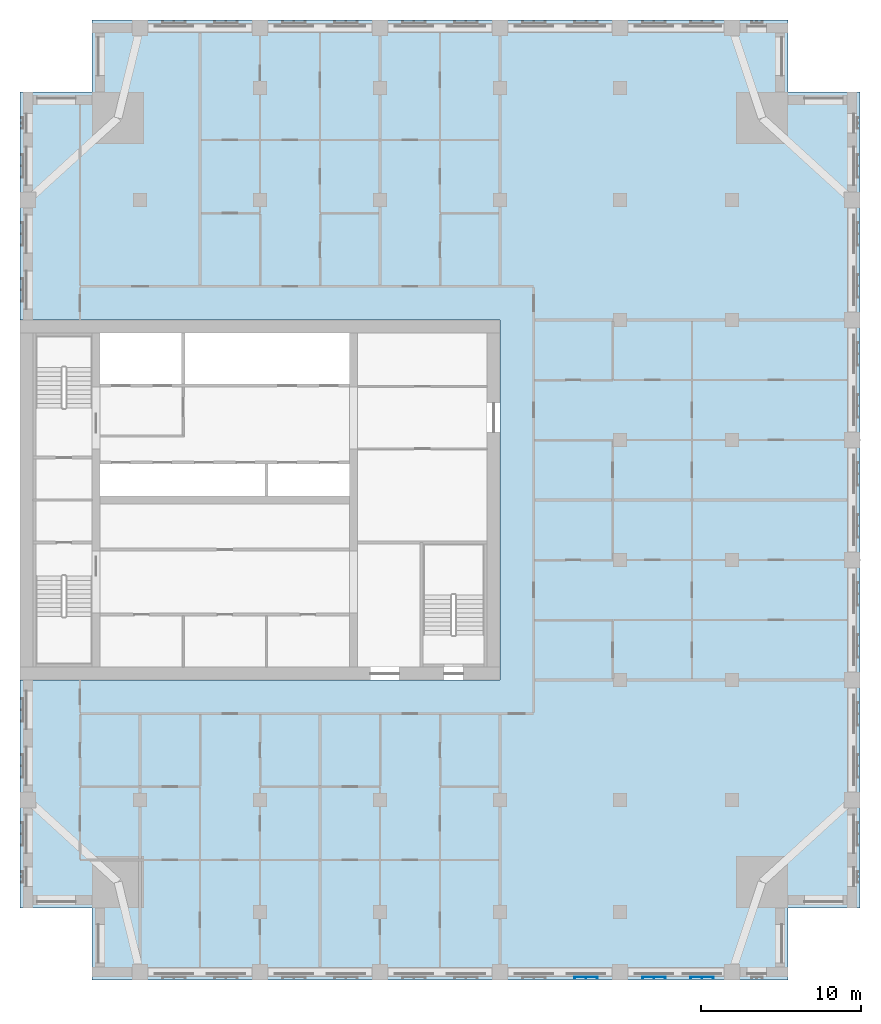
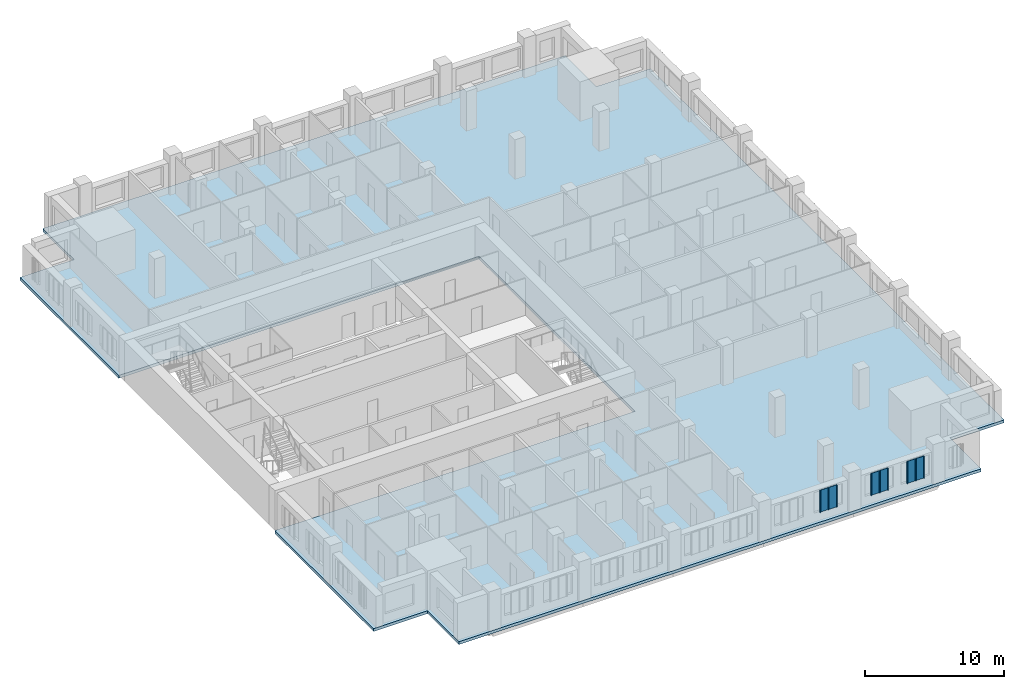
# One storey, part 3 of 14: 3 plates, 1 slab.
"""IFC4 building model written with IfcOpenShell, lengths in metres."""

from ifc_helpers import new_model, si_unit, direction, frame, origin, place, context, subcontext, project, spatial, polyline, outline, extrude, material, layer, layer_set, type_object, element, save


model = new_model("IFC4")

# Units and contexts
model_context = context("Model", 3, precision=1e-05, world=origin(), true_north=direction((0.0, 1.0)))
body_context = subcontext(model_context, "Body", "Model", "MODEL_VIEW")
ifc_project = project(units=[si_unit("LENGTHUNIT", "METRE"), si_unit("AREAUNIT", "SQUARE_METRE"), si_unit("VOLUMEUNIT", "CUBIC_METRE"), si_unit("PLANEANGLEUNIT", "RADIAN"), si_unit("MASSUNIT", "GRAM", prefix="KILO")], contexts=[model_context])

# Site, building, storey
site_placement = place(None, origin())
site = spatial("IfcSite", under=ifc_project, at=site_placement, CompositionType="ELEMENT")
building_placement = place(site_placement, origin())
building = spatial("IfcBuilding", under=site, at=building_placement, Name="Tamorin Gate", CompositionType="ELEMENT")
storey_placement = place(building_placement, frame((0.0, 0.0, 179.199951171875)))
storey = spatial("IfcBuildingStorey", under=building, at=storey_placement, Name="L43", CompositionType="ELEMENT", Elevation=179.199951171875)

# Slab
ifc_material_1 = material(Name="Concrete C40/50", Category="concrete")
ifc_layer_1 = layer(ifc_material_1, 0.25)
ifc_layer_set_1 = layer_set([ifc_layer_1], Name="Floor slab 250 C40/50")
slab_type = type_object("IfcSlabType", Name="Floor slab 250 C40/50", PredefinedType="FLOOR", material=ifc_layer_set_1)
slab_placement = place(storey_placement, frame((0.0, 0.0, -0.25)))
element("IfcSlab", 1, at=slab_placement, inside=storey, type_object=slab_type, Name="Floor L43", PredefinedType="FLOOR", context=body_context, shape_type="SweptSolid", body=[
    extrude(outline(polyline([(30.0, 96.75), (34.5, 96.75), (34.5, 101.25), (78.0, 101.25), (78.0, 96.75), (82.5, 96.75), (82.5, 45.75), (78.0, 45.75), (78.0, 41.25), (34.5, 41.25), (34.5, 45.75), (30.0, 45.75), (30.0, 60.0), (60.0, 60.0), (60.0, 82.5), (30.0, 82.5), (30.0, 96.75)])), origin(), (0.0, 0.0, 1.0), 0.25),
])

# Plates
ifc_material_2 = material(Name="Perforated pale aluminium sheet", Category="aluminium")
ifc_layer_2 = layer(ifc_material_2, 0.0400390625)
ifc_layer_set_2 = layer_set([ifc_layer_2], Name="Pale metal solar screen 1440")
plate_type = type_object("IfcPlateType", Name="Pale metal solar screen 1440", PredefinedType="SHEET", material=ifc_layer_set_2)
plate_1_placement = place(storey_placement, frame((0.0, 0.0, 0.737548828125)))
element("IfcPlate", 2, at=plate_1_placement, inside=storey, type_object=plate_type, Name="Perforated solar screen", PredefinedType="SHEET", context=body_context, shape_type="SweptSolid", body=[
    extrude(outline(polyline([(64.655029296875, 41.409912109375), (64.655029296875, 41.449951171875), (64.715087890625, 41.449951171875), (65.344970703125, 41.449951171875), (65.405029296875, 41.449951171875), (66.034912109375, 41.449951171875), (66.094970703125, 41.449951171875), (66.094970703125, 41.409912109375), (66.094970703125, 41.35009765625), (66.034912109375, 41.35009765625), (66.034912109375, 41.409912109375), (65.405029296875, 41.409912109375), (65.405029296875, 41.35009765625), (65.344970703125, 41.35009765625), (65.344970703125, 41.409912109375), (64.715087890625, 41.409912109375), (64.715087890625, 41.35009765625), (64.655029296875, 41.35009765625), (64.655029296875, 41.409912109375)])), origin(), (0.0, 0.0, 1.0), 1.925048828125),
])
plate_2_placement = place(storey_placement, frame((0.0, 0.0, 0.737548828125)))
element("IfcPlate", 3, at=plate_2_placement, inside=storey, type_object=plate_type, Name="Perforated solar screen", PredefinedType="SHEET", context=body_context, shape_type="SweptSolid", body=[
    extrude(outline(polyline([(68.905029296875, 41.409912109375), (68.905029296875, 41.449951171875), (68.965087890625, 41.449951171875), (69.594970703125, 41.449951171875), (69.655029296875, 41.449951171875), (70.284912109375, 41.449951171875), (70.344970703125, 41.449951171875), (70.344970703125, 41.409912109375), (70.344970703125, 41.35009765625), (70.284912109375, 41.35009765625), (70.284912109375, 41.409912109375), (69.655029296875, 41.409912109375), (69.655029296875, 41.35009765625), (69.594970703125, 41.35009765625), (69.594970703125, 41.409912109375), (68.965087890625, 41.409912109375), (68.965087890625, 41.35009765625), (68.905029296875, 41.35009765625), (68.905029296875, 41.409912109375)])), origin(), (0.0, 0.0, 1.0), 1.925048828125),
])
plate_3_placement = place(storey_placement, frame((0.0, 0.0, 0.737548828125)))
element("IfcPlate", 4, at=plate_3_placement, inside=storey, type_object=plate_type, Name="Perforated solar screen", PredefinedType="SHEET", context=body_context, shape_type="SweptSolid", body=[
    extrude(outline(polyline([(71.905029296875, 41.409912109375), (71.905029296875, 41.449951171875), (71.965087890625, 41.449951171875), (72.594970703125, 41.449951171875), (72.655029296875, 41.449951171875), (73.284912109375, 41.449951171875), (73.344970703125, 41.449951171875), (73.344970703125, 41.409912109375), (73.344970703125, 41.35009765625), (73.284912109375, 41.35009765625), (73.284912109375, 41.409912109375), (72.655029296875, 41.409912109375), (72.655029296875, 41.35009765625), (72.594970703125, 41.35009765625), (72.594970703125, 41.409912109375), (71.965087890625, 41.409912109375), (71.965087890625, 41.35009765625), (71.905029296875, 41.35009765625), (71.905029296875, 41.409912109375)])), origin(), (0.0, 0.0, 1.0), 1.925048828125),
])

save(model, "model.ifc")
